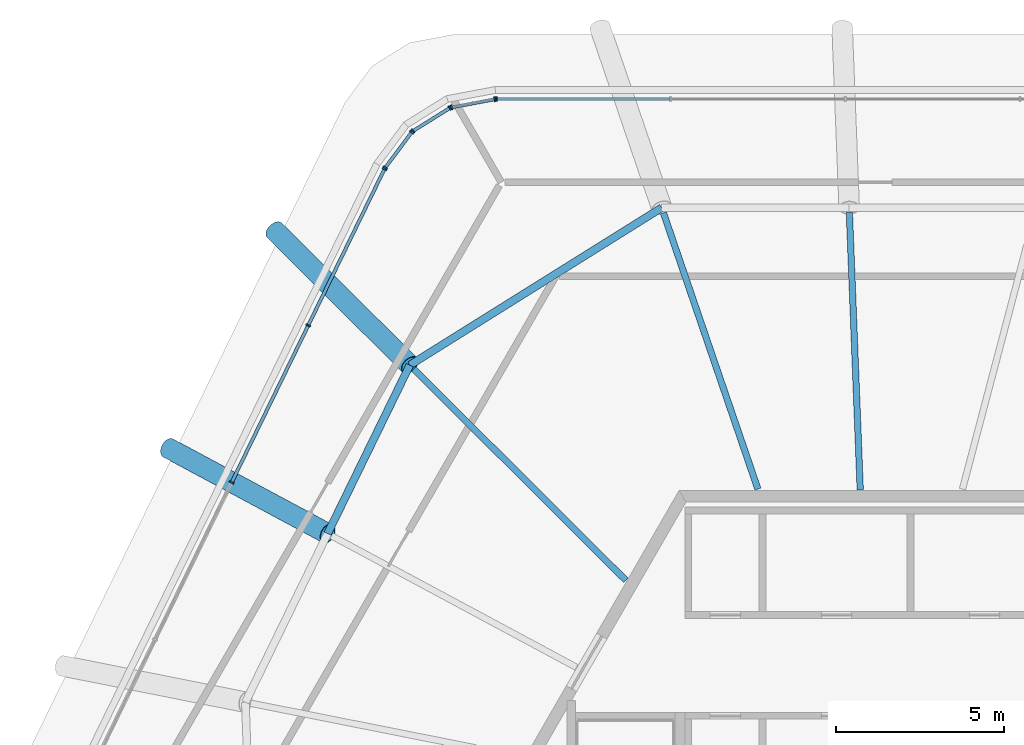
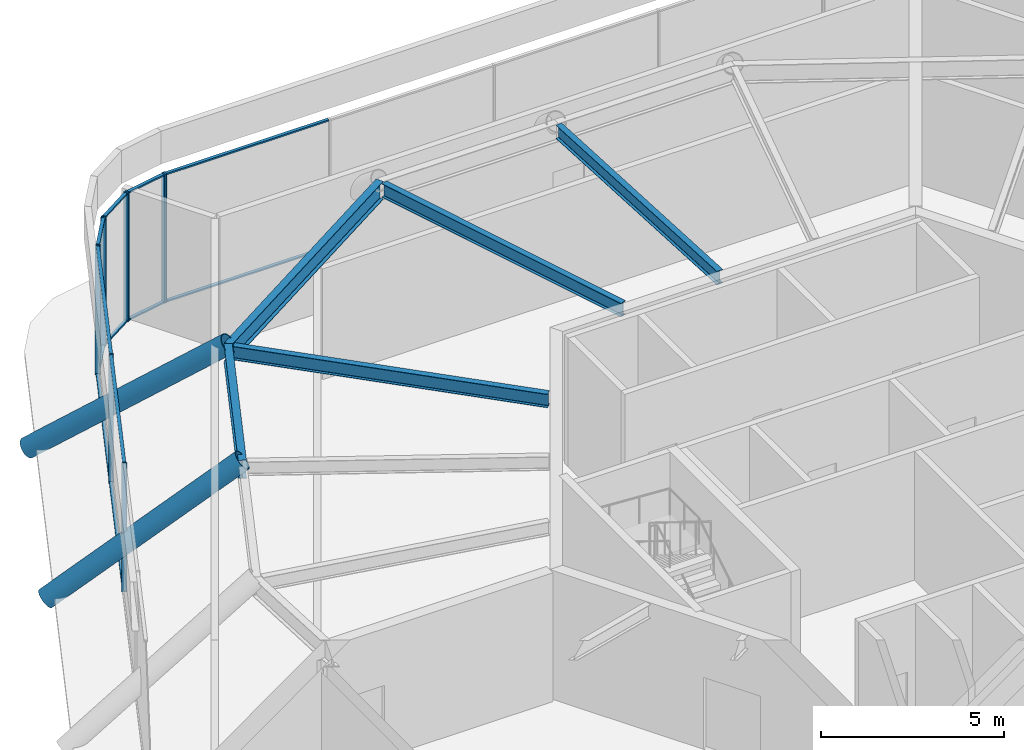
# One storey, part 6 of 13: 24 members, 5 beams, 5 elements without a shape of their own.
"""IFC4 building model written with IfcOpenShell, lengths in metres."""

from ifc_helpers import new_model, si_unit, direction, frame, origin, origin_2d, place, context, subcontext, project, spatial, rectangle, hollow_circle, i_section, extrude, material, material_profile, profile_set, type_object, element, aggregate, save


model = new_model("IFC4")

# Units and contexts
model_context = context("Model", 3, precision=1e-05, world=origin(), true_north=direction((0.0, 1.0)))
body_context = subcontext(model_context, "Body", "Model", "MODEL_VIEW")
ifc_project = project(units=[si_unit("LENGTHUNIT", "METRE"), si_unit("AREAUNIT", "SQUARE_METRE"), si_unit("VOLUMEUNIT", "CUBIC_METRE"), si_unit("PLANEANGLEUNIT", "RADIAN"), si_unit("MASSUNIT", "GRAM", prefix="KILO")], contexts=[model_context])

# Site, building, storey
site_placement = place(None, origin())
site = spatial("IfcSite", under=ifc_project, at=site_placement, CompositionType="ELEMENT")
building_placement = place(site_placement, origin())
building = spatial("IfcBuilding", under=site, at=building_placement, Name="Tarnside Tower", CompositionType="ELEMENT")
storey_placement = place(building_placement, frame((0.0, 0.0, 388.199951171875)))
storey = spatial("IfcBuildingStorey", under=building, at=storey_placement, Name="L92", CompositionType="ELEMENT", Elevation=388.199951171875)

# Curtain wall, member
ifc_material_1 = material(Name="Crown glazing wall", Category="glass")
curtain_wall_type = type_object("IfcCurtainWallType", Name="Crown glazing wall", PredefinedType="NOTDEFINED", material=ifc_material_1)
curtain_wall_1_placement = place(storey_placement, origin())
curtain_wall_1 = element("IfcCurtainWall", 1, at=curtain_wall_1_placement, inside=storey, type_object=curtain_wall_type, Name="Crown glazing L92 00", PredefinedType="NOTDEFINED")
ifc_material_2 = material(Name="Aluminium alloy 6063", Category="aluminium")
ifc_material_profile_1 = material_profile(ifc_material_2, rectangle(XDim=0.139892578125, YDim=0.050048828125, at=origin_2d()), Name="Crown glazing mullion 50 x 140")
ifc_profile_set_1 = profile_set([ifc_material_profile_1], Name="Aluminium alloy 6063")
member_type_1 = type_object("IfcMemberType", Name="Crown glazing mullion 50 x 140", PredefinedType="MULLION", material=ifc_profile_set_1)
member_1_placement = place(storey_placement, frame((-11.2021484375, 21.6298828125, 0.0), z_axis=(0.0, 0.0, 1.0), x_axis=(0.0, 1.0, 0.0)))
member_1 = element("IfcMember", 2, at=member_1_placement, type_object=member_type_1, Name="CW6 mullion 1", PredefinedType="MULLION", context=body_context, shape_type="SweptSolid", body=[
    extrude(rectangle(XDim=0.139892578125, YDim=0.050048828125, at=origin_2d()), origin(), (0.0, 0.0, 1.0), 4.300048828125),
])

# Curtain wall, members
curtain_wall_2_placement = place(storey_placement, origin())
curtain_wall_2 = element("IfcCurtainWall", 3, at=curtain_wall_2_placement, inside=storey, type_object=curtain_wall_type, Name="Crown glazing L92 20", PredefinedType="NOTDEFINED")
member_2_placement = place(storey_placement, frame((-19.073974609375, 10.234375, 0.0), z_axis=(0.0, 0.0, 1.0), x_axis=(-0.898794046292, 0.438371146805, 0.0)))
member_2 = element("IfcMember", 4, at=member_2_placement, type_object=member_type_1, Name="CW6 mullion 3", PredefinedType="MULLION", context=body_context, shape_type="SweptSolid", body=[
    extrude(rectangle(XDim=0.139892578125, YDim=0.050048828125, at=origin_2d()), origin(), (0.0, 0.0, 1.0), 4.300048828125),
])
member_3_placement = place(storey_placement, frame((-16.796630859375, 14.903564453125, 0.0), z_axis=(0.0, 0.0, 1.0), x_axis=(-0.898794046292, 0.438371146805, 0.0)))
member_3 = element("IfcMember", 5, at=member_3_placement, type_object=member_type_1, Name="CW6 mullion 4", PredefinedType="MULLION", context=body_context, shape_type="SweptSolid", body=[
    extrude(rectangle(XDim=0.139892578125, YDim=0.050048828125, at=origin_2d()), origin(), (0.0, 0.0, 1.0), 4.300048828125),
])
member_4_placement = place(storey_placement, frame((-14.5302734375, 19.55029296875, 0.0), z_axis=(0.0, 0.0, 1.0), x_axis=(-0.898794046292, 0.438371146805, 0.0)))
member_4 = element("IfcMember", 6, at=member_4_placement, type_object=member_type_1, Name="CW6 mullion 5", PredefinedType="MULLION", context=body_context, shape_type="SweptSolid", body=[
    extrude(rectangle(XDim=0.139892578125, YDim=0.050048828125, at=origin_2d()), origin(), (0.0, 0.0, 1.0), 4.300048828125),
])

curtain_wall_3_placement = place(storey_placement, origin())
curtain_wall_3 = element("IfcCurtainWall", 7, at=curtain_wall_3_placement, inside=storey, type_object=curtain_wall_type, Name="Crown glazing L92 21", PredefinedType="NOTDEFINED")
member_5_placement = place(storey_placement, frame((-14.50439453125, 19.5927734375, 0.0), z_axis=(0.0, 0.0, 1.0), x_axis=(-0.802123192856, 0.597158591567, 0.0)))
member_5 = element("IfcMember", 8, at=member_5_placement, type_object=member_type_1, Name="CW6 mullion 1", PredefinedType="MULLION", context=body_context, shape_type="SweptSolid", body=[
    extrude(rectangle(XDim=0.139892578125, YDim=0.050048828125, at=origin_2d()), origin(), (0.0, 0.0, 1.0), 4.300048828125),
])
member_6_placement = place(storey_placement, frame((-13.72021484375, 20.646240234375, 0.0), z_axis=(0.0, 0.0, 1.0), x_axis=(-0.802123192856, 0.597158591567, 0.0)))
member_6 = element("IfcMember", 9, at=member_6_placement, type_object=member_type_1, Name="CW6 mullion 2", PredefinedType="MULLION", context=body_context, shape_type="SweptSolid", body=[
    extrude(rectangle(XDim=0.139892578125, YDim=0.050048828125, at=origin_2d()), origin(), (0.0, 0.0, 1.0), 4.300048828125),
])

curtain_wall_4_placement = place(storey_placement, origin())
curtain_wall_4 = element("IfcCurtainWall", 10, at=curtain_wall_4_placement, inside=storey, type_object=curtain_wall_type, Name="Crown glazing L92 22", PredefinedType="NOTDEFINED")
member_7_placement = place(storey_placement, frame((-13.68408203125, 20.6796875, 0.0), z_axis=(0.0, 0.0, 1.0), x_axis=(-0.529919264159, 0.848048096203, 0.0)))
member_7 = element("IfcMember", 11, at=member_7_placement, type_object=member_type_1, Name="CW6 mullion 1", PredefinedType="MULLION", context=body_context, shape_type="SweptSolid", body=[
    extrude(rectangle(XDim=0.139892578125, YDim=0.050048828125, at=origin_2d()), origin(), (0.0, 0.0, 1.0), 4.300048828125),
])
member_8_placement = place(storey_placement, frame((-12.587890625, 21.364501953125, 0.0), z_axis=(0.0, 0.0, 1.0), x_axis=(-0.529919264159, 0.848048096203, 0.0)))
member_8 = element("IfcMember", 12, at=member_8_placement, type_object=member_type_1, Name="CW6 mullion 2", PredefinedType="MULLION", context=body_context, shape_type="SweptSolid", body=[
    extrude(rectangle(XDim=0.139892578125, YDim=0.050048828125, at=origin_2d()), origin(), (0.0, 0.0, 1.0), 4.300048828125),
])

curtain_wall_5_placement = place(storey_placement, origin())
curtain_wall_5 = element("IfcCurtainWall", 13, at=curtain_wall_5_placement, inside=storey, type_object=curtain_wall_type, Name="Crown glazing L92 23", PredefinedType="NOTDEFINED")
member_9_placement = place(storey_placement, frame((-12.542236328125, 21.38232421875, 0.0), z_axis=(0.0, 0.0, 1.0), x_axis=(-0.185094922879, 0.982720646738, 0.0)))
member_9 = element("IfcMember", 14, at=member_9_placement, type_object=member_type_1, Name="CW6 mullion 1", PredefinedType="MULLION", context=body_context, shape_type="SweptSolid", body=[
    extrude(rectangle(XDim=0.139892578125, YDim=0.050048828125, at=origin_2d()), origin(), (0.0, 0.0, 1.0), 4.300048828125),
])
member_10_placement = place(storey_placement, frame((-11.251708984375, 21.62548828125, 0.0), z_axis=(0.0, 0.0, 1.0), x_axis=(-0.185094922879, 0.982720646738, 0.0)))
member_10 = element("IfcMember", 15, at=member_10_placement, type_object=member_type_1, Name="CW6 mullion 2", PredefinedType="MULLION", context=body_context, shape_type="SweptSolid", body=[
    extrude(rectangle(XDim=0.139892578125, YDim=0.050048828125, at=origin_2d()), origin(), (0.0, 0.0, 1.0), 4.300048828125),
])

# Member
ifc_material_profile_2 = material_profile(ifc_material_2, rectangle(XDim=0.10009765625, YDim=0.050048828125, at=origin_2d()), Name="Crown glazing transom 50 x 100")
ifc_profile_set_2 = profile_set([ifc_material_profile_2], Name="Aluminium alloy 6063")
member_type_2 = type_object("IfcMemberType", Name="Crown glazing transom 50 x 100", PredefinedType="USERDEFINED", material=ifc_profile_set_2)
member_11_placement = place(storey_placement, frame((-11.177001953125, 21.6298828125, 0.025146484375), z_axis=(1.0, 0.0, 0.0), x_axis=(0.0, 1.0, 0.0)))
member_11 = element("IfcMember", 16, at=member_11_placement, type_object=member_type_2, Name="CW6 transom 1.1", ObjectType="TRANSOM", PredefinedType="USERDEFINED", context=body_context, shape_type="SweptSolid", body=[
    extrude(rectangle(XDim=0.10009765625, YDim=0.050048828125, at=origin_2d()), origin(), (0.0, 0.0, 1.0), 5.119873046875),
])

member_12_placement = place(storey_placement, frame((-11.177001953125, 21.6298828125, 4.275146484375), z_axis=(1.0, 0.0, 0.0), x_axis=(0.0, 1.0, 0.0)))
member_12 = element("IfcMember", 17, at=member_12_placement, type_object=member_type_2, Name="CW6 transom 1.2", ObjectType="TRANSOM", PredefinedType="USERDEFINED", context=body_context, shape_type="SweptSolid", body=[
    extrude(rectangle(XDim=0.10009765625, YDim=0.050048828125, at=origin_2d()), origin(), (0.0, 0.0, 1.0), 5.119873046875),
])

aggregate(curtain_wall_1, [member_1, member_11, member_12])

member_13_placement = place(storey_placement, frame((-19.06298828125, 10.2568359375, 0.025146484375), z_axis=(0.438365666617, 0.898796719137, 0.0), x_axis=(-0.898796719137, 0.438365666617, 0.0)))
member_13 = element("IfcMember", 18, at=member_13_placement, type_object=member_type_2, Name="CW6 transom 3.1", ObjectType="TRANSOM", PredefinedType="USERDEFINED", context=body_context, shape_type="SweptSolid", body=[
    extrude(rectangle(XDim=0.10009765625, YDim=0.050048828125, at=origin_2d()), origin(), (0.0, 0.0, 1.0), 5.14501953125),
])

member_14_placement = place(storey_placement, frame((-19.06298828125, 10.2568359375, 4.275146484375), z_axis=(0.438365666617, 0.898796719137, 0.0), x_axis=(-0.898796719137, 0.438365666617, 0.0)))
member_14 = element("IfcMember", 19, at=member_14_placement, type_object=member_type_2, Name="CW6 transom 3.2", ObjectType="TRANSOM", PredefinedType="USERDEFINED", context=body_context, shape_type="SweptSolid", body=[
    extrude(rectangle(XDim=0.10009765625, YDim=0.050048828125, at=origin_2d()), origin(), (0.0, 0.0, 1.0), 5.14501953125),
])

member_15_placement = place(storey_placement, frame((-16.78564453125, 14.926025390625, 0.025146484375), z_axis=(0.438360685993, 0.898799148295, 0.0), x_axis=(-0.898799148295, 0.438360685993, 0.0)))
member_15 = element("IfcMember", 20, at=member_15_placement, type_object=member_type_2, Name="CW6 transom 4.1", ObjectType="TRANSOM", PredefinedType="USERDEFINED", context=body_context, shape_type="SweptSolid", body=[
    extrude(rectangle(XDim=0.10009765625, YDim=0.050048828125, at=origin_2d()), origin(), (0.0, 0.0, 1.0), 5.119873046875),
])

member_16_placement = place(storey_placement, frame((-16.78564453125, 14.926025390625, 4.275146484375), z_axis=(0.438360685993, 0.898799148295, 0.0), x_axis=(-0.898799148295, 0.438360685993, 0.0)))
member_16 = element("IfcMember", 21, at=member_16_placement, type_object=member_type_2, Name="CW6 transom 4.2", ObjectType="TRANSOM", PredefinedType="USERDEFINED", context=body_context, shape_type="SweptSolid", body=[
    extrude(rectangle(XDim=0.10009765625, YDim=0.050048828125, at=origin_2d()), origin(), (0.0, 0.0, 1.0), 5.119873046875),
])

aggregate(curtain_wall_2, [member_2, member_3, member_4, member_13, member_14, member_15, member_16])

member_17_placement = place(storey_placement, frame((-14.489501953125, 19.613037109375, 0.025146484375), z_axis=(0.597213239481, 0.802082506098, 0.0), x_axis=(-0.802082506098, 0.597213239481, 0.0)))
member_17 = element("IfcMember", 22, at=member_17_placement, type_object=member_type_2, Name="CW6 transom 1.1", ObjectType="TRANSOM", PredefinedType="USERDEFINED", context=body_context, shape_type="SweptSolid", body=[
    extrude(rectangle(XDim=0.10009765625, YDim=0.050048828125, at=origin_2d()), origin(), (0.0, 0.0, 1.0), 1.26318359375),
])

member_18_placement = place(storey_placement, frame((-14.489501953125, 19.613037109375, 4.275146484375), z_axis=(0.597213239481, 0.802082506098, 0.0), x_axis=(-0.802082506098, 0.597213239481, 0.0)))
member_18 = element("IfcMember", 23, at=member_18_placement, type_object=member_type_2, Name="CW6 transom 1.2", ObjectType="TRANSOM", PredefinedType="USERDEFINED", context=body_context, shape_type="SweptSolid", body=[
    extrude(rectangle(XDim=0.10009765625, YDim=0.050048828125, at=origin_2d()), origin(), (0.0, 0.0, 1.0), 1.26318359375),
])

aggregate(curtain_wall_3, [member_5, member_6, member_17, member_18])

member_19_placement = place(storey_placement, frame((-13.662841796875, 20.69287109375, 0.025146484375), z_axis=(0.848130755165, 0.529786959204, 0.0), x_axis=(-0.529786959204, 0.848130755165, 0.0)))
member_19 = element("IfcMember", 24, at=member_19_placement, type_object=member_type_2, Name="CW6 transom 1.1", ObjectType="TRANSOM", PredefinedType="USERDEFINED", context=body_context, shape_type="SweptSolid", body=[
    extrude(rectangle(XDim=0.10009765625, YDim=0.050048828125, at=origin_2d()), origin(), (0.0, 0.0, 1.0), 1.242431640625),
])

member_20_placement = place(storey_placement, frame((-13.662841796875, 20.69287109375, 4.275146484375), z_axis=(0.848130755165, 0.529786959204, 0.0), x_axis=(-0.529786959204, 0.848130755165, 0.0)))
member_20 = element("IfcMember", 25, at=member_20_placement, type_object=member_type_2, Name="CW6 transom 1.2", ObjectType="TRANSOM", PredefinedType="USERDEFINED", context=body_context, shape_type="SweptSolid", body=[
    extrude(rectangle(XDim=0.10009765625, YDim=0.050048828125, at=origin_2d()), origin(), (0.0, 0.0, 1.0), 1.242431640625),
])

aggregate(curtain_wall_4, [member_7, member_8, member_19, member_20])

member_21_placement = place(storey_placement, frame((-12.517578125, 21.386962890625, 0.025146484375), z_axis=(0.982705481152, 0.185175423081, 0.0), x_axis=(-0.185175423081, 0.982705481152, 0.0)))
member_21 = element("IfcMember", 26, at=member_21_placement, type_object=member_type_2, Name="CW6 transom 1.1", ObjectType="TRANSOM", PredefinedType="USERDEFINED", context=body_context, shape_type="SweptSolid", body=[
    extrude(rectangle(XDim=0.10009765625, YDim=0.050048828125, at=origin_2d()), origin(), (0.0, 0.0, 1.0), 1.262939453125),
])

member_22_placement = place(storey_placement, frame((-12.517578125, 21.386962890625, 4.275146484375), z_axis=(0.982705481152, 0.185175423081, 0.0), x_axis=(-0.185175423081, 0.982705481152, 0.0)))
member_22 = element("IfcMember", 27, at=member_22_placement, type_object=member_type_2, Name="CW6 transom 1.2", ObjectType="TRANSOM", PredefinedType="USERDEFINED", context=body_context, shape_type="SweptSolid", body=[
    extrude(rectangle(XDim=0.10009765625, YDim=0.050048828125, at=origin_2d()), origin(), (0.0, 0.0, 1.0), 1.262939453125),
])

aggregate(curtain_wall_5, [member_9, member_10, member_21, member_22])

# Beams
ifc_material_3 = material(Name="Steel S355", Category="steel")
ifc_material_profile_3 = material_profile(ifc_material_3, i_section(OverallWidth=0.18994140625, OverallDepth=0.453369140625, WebThickness=0.008544921875, FlangeThickness=0.0126953125, FilletRadius=0.01025390625, at=origin_2d()), Name="UB 457x191x67")
ifc_profile_set_3 = profile_set([ifc_material_profile_3], Name="Steel S355")
beam_type_1 = type_object("IfcBeamType", Name="Floor beam UB 457x191x67", PredefinedType="BEAM", material=ifc_profile_set_3)
beam_1_placement = place(storey_placement, frame((-0.7158203125, 18.265869140625, 4.0732421875), z_axis=(0.039170507314, -0.999232541182, 0.0), x_axis=(0.999232541182, 0.039170507314, 0.0)))
element("IfcBeam", 28, at=beam_1_placement, inside=storey, type_object=beam_type_1, Name="Floor beam RB2", PredefinedType="BEAM", context=body_context, shape_type="SweptSolid", body=[
    extrude(i_section(OverallWidth=0.18994140625, OverallDepth=0.453369140625, WebThickness=0.008544921875, FlangeThickness=0.0126953125, FilletRadius=0.01025390625, at=origin_2d()), origin(), (0.0, 0.0, 1.0), 8.252197265625),
])
beam_2_placement = place(storey_placement, frame((-6.2412109375, 18.248046875, 4.0732421875), z_axis=(0.323620730874, -0.946186885635, 0.0), x_axis=(0.946186885635, 0.323620730874, 0.0)))
element("IfcBeam", 29, at=beam_2_placement, inside=storey, type_object=beam_type_1, Name="Floor beam RB3", PredefinedType="BEAM", context=body_context, shape_type="SweptSolid", body=[
    extrude(i_section(OverallWidth=0.18994140625, OverallDepth=0.453369140625, WebThickness=0.008544921875, FlangeThickness=0.0126953125, FilletRadius=0.01025390625, at=origin_2d()), origin(), (0.0, 0.0, 1.0), 8.67724609375),
])
beam_3_placement = place(storey_placement, frame((-13.665283203125, 13.609130859375, 4.0732421875), z_axis=(0.708559332129, -0.70565124024, 0.0), x_axis=(0.70565124024, 0.708559332129, 0.0)))
element("IfcBeam", 30, at=beam_3_placement, inside=storey, type_object=beam_type_1, Name="Floor beam RB4", PredefinedType="BEAM", context=body_context, shape_type="SweptSolid", body=[
    extrude(i_section(OverallWidth=0.18994140625, OverallDepth=0.453369140625, WebThickness=0.008544921875, FlangeThickness=0.0126953125, FilletRadius=0.01025390625, at=origin_2d()), origin(), (0.0, 0.0, 1.0), 8.89892578125),
])
ifc_material_profile_4 = material_profile(ifc_material_3, i_section(OverallWidth=0.228271484375, OverallDepth=0.607666015625, WebThickness=0.010986328125, FlangeThickness=0.017333984375, FilletRadius=0.0126953125, at=origin_2d()), Name="UB 610x229x113")
ifc_profile_set_4 = profile_set([ifc_material_profile_4], Name="Steel S355")
beam_type_2 = type_object("IfcBeamType", Name="Floor beam UB 610x229x113", PredefinedType="BEAM", material=ifc_profile_set_4)
beam_4_placement = place(storey_placement, frame((-6.293212890625, 18.39990234375, 3.996337890625), z_axis=(-0.848057344451, -0.529904463581, 0.0), x_axis=(0.529904463581, -0.848057344451, 0.0)))
element("IfcBeam", 31, at=beam_4_placement, inside=storey, type_object=beam_type_2, Name="Floor beam R3", PredefinedType="BEAM", context=body_context, shape_type="SweptSolid", body=[
    extrude(i_section(OverallWidth=0.228271484375, OverallDepth=0.607666015625, WebThickness=0.010986328125, FlangeThickness=0.017333984375, FilletRadius=0.0126953125, at=origin_2d()), origin(), (0.0, 0.0, 1.0), 8.8271484375),
])
beam_5_placement = place(storey_placement, frame((-13.779052734375, 13.722412109375, 3.996337890625), z_axis=(-0.438358888936, -0.89880002475, 0.0), x_axis=(0.89880002475, -0.438358888936, 0.0)))
element("IfcBeam", 32, at=beam_5_placement, inside=storey, type_object=beam_type_2, Name="Floor beam R4", PredefinedType="BEAM", context=body_context, shape_type="SweptSolid", body=[
    extrude(i_section(OverallWidth=0.228271484375, OverallDepth=0.607666015625, WebThickness=0.010986328125, FlangeThickness=0.017333984375, FilletRadius=0.0126953125, at=origin_2d()), origin(), (0.0, 0.0, 1.0), 5.572265625),
])

# Members
ifc_material_profile_5 = material_profile(ifc_material_3, hollow_circle(Radius=0.304931640625, WallThickness=0.02490234375, at=origin_2d()), Name="CHS 610x25")
ifc_profile_set_5 = profile_set([ifc_material_profile_5], Name="Steel S355")
member_type_3 = type_object("IfcMemberType", Name="Truss diagonal CHS 610x25", PredefinedType="BRACE", material=ifc_profile_set_5)
member_23_placement = place(storey_placement, frame((-17.80419921875, 17.73095703125, -0.199951171875), z_axis=(0.555415957235, -0.553125165394, 0.620939341527), x_axis=(0.705644043688, 0.708566499073, 0.0)))
element("IfcMember", 33, at=member_23_placement, inside=storey, type_object=member_type_3, Name="Crown leg L92 4", PredefinedType="BRACE", context=body_context, shape_type="SweptSolid", body=[
    extrude(hollow_circle(Radius=0.304931640625, WallThickness=0.02490234375, at=origin_2d()), origin(), (0.0, 0.0, 1.0), 7.2470703125),
])
member_24_placement = place(storey_placement, frame((-20.96044921875, 11.259521484375, -0.199951171875), z_axis=(0.675692394931, -0.362945332795, 0.641646688478), x_axis=(0.473201004143, 0.880954487859, 0.0)))
element("IfcMember", 34, at=member_24_placement, inside=storey, type_object=member_type_3, Name="Crown leg L92 5", PredefinedType="BRACE", context=body_context, shape_type="SweptSolid", body=[
    extrude(hollow_circle(Radius=0.304931640625, WallThickness=0.02490234375, at=origin_2d()), origin(), (0.0, 0.0, 1.0), 7.01318359375),
])

save(model, "model.ifc")
